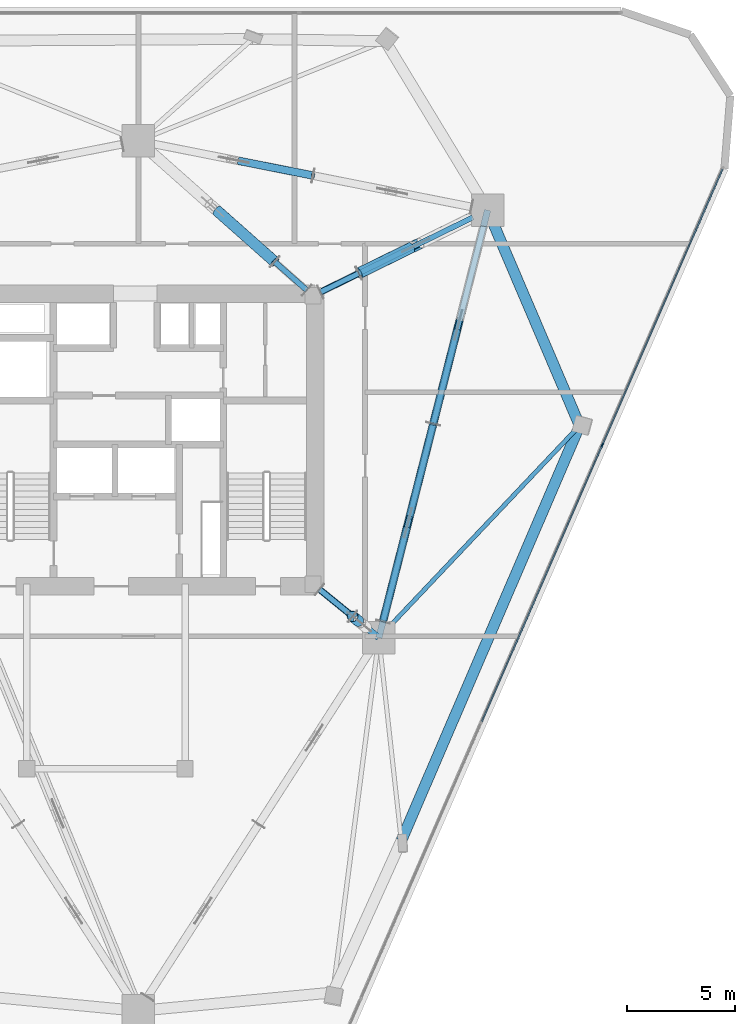
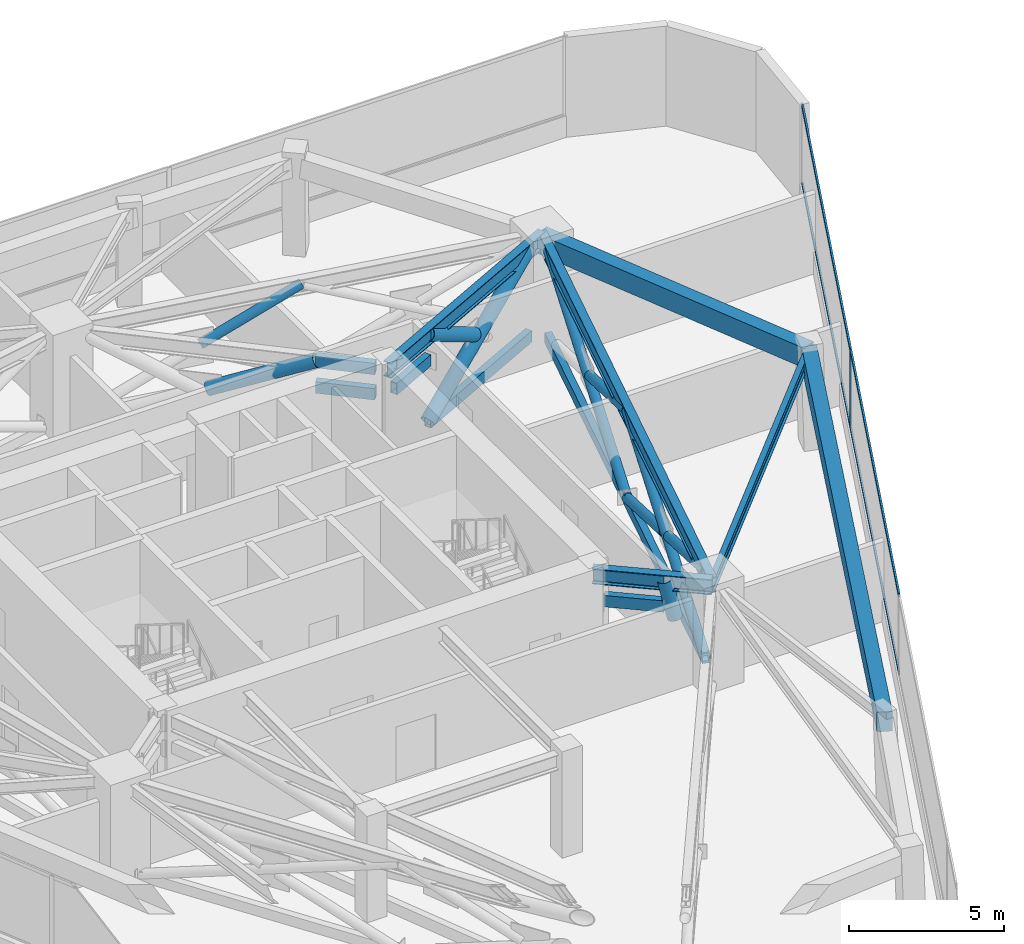
# One storey, part 7 of 13: 27 members, 6 beams, 1 element without a shape of its own.
"""IFC4 building model written with IfcOpenShell, lengths in metres."""

from ifc_helpers import new_model, si_unit, direction, frame, origin, origin_2d, place, context, subcontext, project, spatial, rectangle, hollow_rectangle, hollow_circle, i_section, extrude, material, layer, layer_set, material_profile, profile_set, type_object, element, aggregate, save


model = new_model("IFC4")

# Units and contexts
model_context = context("Model", 3, precision=1e-05, world=origin(), true_north=direction((0.0, 1.0)))
body_context = subcontext(model_context, "Body", "Model", "MODEL_VIEW")
ifc_project = project(units=[si_unit("LENGTHUNIT", "METRE"), si_unit("AREAUNIT", "SQUARE_METRE"), si_unit("VOLUMEUNIT", "CUBIC_METRE"), si_unit("PLANEANGLEUNIT", "RADIAN"), si_unit("MASSUNIT", "GRAM", prefix="KILO")], contexts=[model_context])

# Site, building, storey
site_placement = place(None, origin())
site = spatial("IfcSite", under=ifc_project, at=site_placement, CompositionType="ELEMENT")
building_placement = place(site_placement, origin())
building = spatial("IfcBuilding", under=site, at=building_placement, Name="Talyreon Biosciences Tower", CompositionType="ELEMENT")
storey_placement = place(building_placement, frame((0.0, 0.0, 175.199951171875)))
storey = spatial("IfcBuildingStorey", under=building, at=storey_placement, Name="L46", CompositionType="ELEMENT", Elevation=175.199951171875)

# Members
ifc_material_1 = material(Name="Steel SM355", Category="steel")
ifc_material_profile_1 = material_profile(ifc_material_1, hollow_circle(Radius=0.177734375, WallThickness=0.01416015625, at=origin_2d()), Name="CHS 355.6x14.2")
ifc_profile_set_1 = profile_set([ifc_material_profile_1], Name="Steel SM355")
member_type_1 = type_object("IfcMemberType", Name="BeltBrace_CHS355", PredefinedType="BRACE", material=ifc_profile_set_1)
member_1_placement = place(storey_placement, frame((77.273681640625, 59.616943359375, 0.239990234375), z_axis=(0.231388620346, 0.909633581047, 0.345001528411), x_axis=(-0.969136504924, 0.246524714428, 0.0)))
element("IfcMember", 1, at=member_1_placement, inside=storey, type_object=member_type_1, Name="L46 Continuous Diagonal BELT-L46-B2S1A", PredefinedType="BRACE", context=body_context, shape_type="SweptSolid", body=[
    extrude(hollow_circle(Radius=0.177734375, WallThickness=0.01416015625, at=origin_2d()), origin(), (0.0, 0.0, 1.0), 10.02880859375),
])
member_2_placement = place(storey_placement, frame((79.59423828125, 68.739501953125, 0.239990234375), z_axis=(-0.231377127616, -0.90962614913, 0.345028830149), x_axis=(0.969138949099, -0.246515105703, 0.0)))
element("IfcMember", 2, at=member_2_placement, inside=storey, type_object=member_type_1, Name="L46 Split Diagonal BELT-L46-B2S1B-Lower", PredefinedType="BRACE", context=body_context, shape_type="SweptSolid", body=[
    extrude(hollow_circle(Radius=0.177734375, WallThickness=0.01416015625, at=origin_2d()), origin(), (0.0, 0.0, 1.0), 4.734619140625),
])
member_3_placement = place(storey_placement, frame((78.369140625, 63.923583984375, 2.066650390625), z_axis=(-0.231381244033, -0.909642332234, 0.344983401511), x_axis=(0.969138949099, -0.246515105703, 0.0)))
element("IfcMember", 3, at=member_3_placement, inside=storey, type_object=member_type_1, Name="L46 Split Diagonal BELT-L46-B2S1B-Upper", PredefinedType="BRACE", context=body_context, shape_type="SweptSolid", body=[
    extrude(hollow_circle(Radius=0.177734375, WallThickness=0.01416015625, at=origin_2d()), origin(), (0.0, 0.0, 1.0), 4.734375),
])
member_4_placement = place(storey_placement, frame((79.59423828125, 68.739501953125, 0.239990234375), z_axis=(0.231406536423, 0.909632657957, 0.344991945528), x_axis=(-0.96913188456, 0.246542877262, 0.0)))
element("IfcMember", 4, at=member_4_placement, inside=storey, type_object=member_type_1, Name="L46 Continuous Diagonal BELT-L46-B2S2A", PredefinedType="BRACE", context=body_context, shape_type="SweptSolid", body=[
    extrude(hollow_circle(Radius=0.177734375, WallThickness=0.01416015625, at=origin_2d()), origin(), (0.0, 0.0, 1.0), 10.029052734375),
])
member_5_placement = place(storey_placement, frame((80.689697265625, 73.046142578125, 2.066650390625), z_axis=(-0.231381244033, -0.909642332234, 0.344983401511), x_axis=(0.969138949099, -0.246515105703, 0.0)))
element("IfcMember", 5, at=member_5_placement, inside=storey, type_object=member_type_1, Name="L46 Split Diagonal BELT-L46-B2S2B-Upper", PredefinedType="BRACE", context=body_context, shape_type="SweptSolid", body=[
    extrude(hollow_circle(Radius=0.177734375, WallThickness=0.01416015625, at=origin_2d()), origin(), (0.0, 0.0, 1.0), 4.734375),
])
member_6_placement = place(storey_placement, frame((70.6474609375, 80.8681640625, 2.088134765625), z_axis=(0.889643147326, -0.17624403765, 0.421275574426), x_axis=(0.19432978993, 0.980936253151, 0.0)))
element("IfcMember", 6, at=member_6_placement, inside=storey, type_object=member_type_1, Name="L46 Split Diagonal BELT-L46-B3S2B-Upper", PredefinedType="BRACE", context=body_context, shape_type="SweptSolid", body=[
    extrude(hollow_circle(Radius=0.177734375, WallThickness=0.01416015625, at=origin_2d()), origin(), (0.0, 0.0, 1.0), 3.825927734375),
])
ifc_material_profile_2 = material_profile(ifc_material_1, hollow_rectangle(XDim=0.25, YDim=0.39990234375, WallThickness=0.01611328125, at=origin_2d()), Name="RHS 400x250x16")
ifc_profile_set_2 = profile_set([ifc_material_profile_2], Name="Steel SM355")
member_type_2 = type_object("IfcMemberType", Name="BeltChord_RHS400x250", PredefinedType="CHORD", material=ifc_profile_set_2)
for number, where, z_axis, x_axis, name in (
    (7, (77.273681640625, 59.616943359375, 0.239990234375), (0.246524714428, 0.969136504924, 0.0), (-0.969136504924, 0.246524714428, 0.0), "L46 Truss Bottom Chord BELT-L46-B2S1"),
    (8, (77.273681640625, 59.616943359375, 3.699951171875), (0.246524714428, 0.969136504924, 0.0), (-0.969136504924, 0.246524714428, 0.0), "L46 Truss Top Chord BELT-L46-B2S1"),
):
    element("IfcMember", number, at=place(storey_placement, frame(where, z_axis=z_axis, x_axis=x_axis)), inside=storey, type_object=member_type_2, Name=name, PredefinedType="CHORD", context=body_context, shape_type="SweptSolid", body=[
        extrude(hollow_rectangle(XDim=0.25, YDim=0.39990234375, WallThickness=0.01611328125, at=origin_2d()), origin(), (0.0, 0.0, 1.0), 9.4130859375),
    ])
for number, where, z_axis, x_axis, name in (
    (9, (79.59423828125, 68.739501953125, 0.239990234375), (0.246542877262, 0.96913188456, 0.0), (-0.96913188456, 0.246542877262, 0.0), "L46 Truss Bottom Chord BELT-L46-B2S2"),
    (10, (79.59423828125, 68.739501953125, 3.699951171875), (0.246542877262, 0.96913188456, 0.0), (-0.96913188456, 0.246542877262, 0.0), "L46 Truss Top Chord BELT-L46-B2S2"),
):
    element("IfcMember", number, at=place(storey_placement, frame(where, z_axis=z_axis, x_axis=x_axis)), inside=storey, type_object=member_type_2, Name=name, PredefinedType="CHORD", context=body_context, shape_type="SweptSolid", body=[
        extrude(hollow_rectangle(XDim=0.25, YDim=0.39990234375, WallThickness=0.01611328125, at=origin_2d()), origin(), (0.0, 0.0, 1.0), 9.413330078125),
    ])

# Curtain wall, members
ifc_material_2 = material(Name="Thermally broken aluminium and low-E glazing", Category="aluminium")
ifc_layer = layer(ifc_material_2, 0.18505859375)
ifc_layer_set = layer_set([ifc_layer], Name="Thermally broken aluminium and low-E glazing")
curtain_wall_type = type_object("IfcCurtainWallType", Name="CurtainWall_Zone3Bioprocess", PredefinedType="NOTDEFINED", material=ifc_layer_set)
curtain_wall_placement = place(storey_placement, origin())
curtain_wall = element("IfcCurtainWall", 11, at=curtain_wall_placement, inside=storey, type_object=curtain_wall_type, Name="L46 Unitised Curtain Wall FCW-L46-08", PredefinedType="NOTDEFINED")
ifc_material_3 = material(Name="Anodised thermally broken aluminium", Category="aluminium")
ifc_material_profile_3 = material_profile(ifc_material_3, rectangle(XDim=0.06494140625, YDim=0.179931640625, at=origin_2d()), Name="ALUM MULLION 65x180")
ifc_profile_set_3 = profile_set([ifc_material_profile_3], Name="Anodised thermally broken aluminium")
member_type_3 = type_object("IfcMemberType", Name="CWMullion_65x180", PredefinedType="MULLION", material=ifc_profile_set_3)
member_7_placement = place(storey_placement, frame((87.390380859375, 67.762939453125, 0.81005859375), z_axis=(0.0, 0.0, 1.0), x_axis=(0.916820215501, -0.399300253505, 0.0)))
member_7 = element("IfcMember", 12, at=member_7_placement, type_object=member_type_3, Name="CW4 mullion 2", PredefinedType="MULLION", context=body_context, shape_type="SweptSolid", body=[
    extrude(rectangle(XDim=0.06494140625, YDim=0.179931640625, at=origin_2d()), origin(), (0.0, 0.0, 1.0), 3.139892578125),
])
ifc_material_profile_4 = material_profile(ifc_material_3, rectangle(XDim=0.06494140625, YDim=0.139892578125, at=origin_2d()), Name="ALUM TRANSOM 65x140")
ifc_profile_set_4 = profile_set([ifc_material_profile_4], Name="Anodised thermally broken aluminium")
member_type_4 = type_object("IfcMemberType", Name="CWTransom_65x140", PredefinedType="USERDEFINED", material=ifc_profile_set_4)
member_8_placement = place(storey_placement, frame((92.9296875, 80.481689453125, 0.842529296875), z_axis=(-0.399298814497, -0.916820842227, 0.0), x_axis=(0.916820842227, -0.399298814497, 0.0)))
member_8 = element("IfcMember", 13, at=member_8_placement, type_object=member_type_4, Name="CW4 transom 1.1", ObjectType="TRANSOM", PredefinedType="USERDEFINED", context=body_context, shape_type="SweptSolid", body=[
    extrude(rectangle(XDim=0.06494140625, YDim=0.139892578125, at=origin_2d()), origin(), (0.0, 0.0, 1.0), 13.840087890625),
])
member_9_placement = place(storey_placement, frame((92.9296875, 80.481689453125, 3.91748046875), z_axis=(-0.399298814497, -0.916820842227, 0.0), x_axis=(0.916820842227, -0.399298814497, 0.0)))
member_9 = element("IfcMember", 14, at=member_9_placement, type_object=member_type_4, Name="CW4 transom 1.2", ObjectType="TRANSOM", PredefinedType="USERDEFINED", context=body_context, shape_type="SweptSolid", body=[
    extrude(rectangle(XDim=0.06494140625, YDim=0.139892578125, at=origin_2d()), origin(), (0.0, 0.0, 1.0), 13.840087890625),
])
member_10_placement = place(storey_placement, frame((87.37744140625, 67.73291015625, 0.842529296875), z_axis=(-0.399311623344, -0.916815263541, 0.0), x_axis=(0.916815263541, -0.399311623344, 0.0)))
member_10 = element("IfcMember", 15, at=member_10_placement, type_object=member_type_4, Name="CW4 transom 2.1", ObjectType="TRANSOM", PredefinedType="USERDEFINED", context=body_context, shape_type="SweptSolid", body=[
    extrude(rectangle(XDim=0.06494140625, YDim=0.139892578125, at=origin_2d()), origin(), (0.0, 0.0, 1.0), 13.872802734375),
])
member_11_placement = place(storey_placement, frame((87.37744140625, 67.73291015625, 3.91748046875), z_axis=(-0.399311623344, -0.916815263541, 0.0), x_axis=(0.916815263541, -0.399311623344, 0.0)))
member_11 = element("IfcMember", 16, at=member_11_placement, type_object=member_type_4, Name="CW4 transom 2.2", ObjectType="TRANSOM", PredefinedType="USERDEFINED", context=body_context, shape_type="SweptSolid", body=[
    extrude(rectangle(XDim=0.06494140625, YDim=0.139892578125, at=origin_2d()), origin(), (0.0, 0.0, 1.0), 13.872802734375),
])
aggregate(curtain_wall, [member_7, member_8, member_9, member_10, member_11])

# Beams
ifc_material_4 = material(Name="Precast concrete C45/55", Category="concrete")
ifc_material_profile_5 = material_profile(ifc_material_4, rectangle(XDim=0.5, YDim=0.780029296875, at=origin_2d()), Name="RCB 500x780")
ifc_profile_set_5 = profile_set([ifc_material_profile_5], Name="Precast concrete C45/55")
beam_type_1 = type_object("IfcBeamType", Name="ExpressedSpandrel_500x780", PredefinedType="SPANDREL", material=ifc_profile_set_5)
beam_1_placement = place(storey_placement, frame((78.12109375, 49.517578125, 3.56005859375), z_axis=(0.394760616993, 0.918784009042, 0.0), x_axis=(-0.918784009042, 0.394760616993, 0.0)))
element("IfcBeam", 17, at=beam_1_placement, inside=storey, type_object=beam_type_1, Name="L46 Expressed Horizontal Concrete Spandrel 03", PredefinedType="SPANDREL", context=body_context, shape_type="SweptSolid", body=[
    extrude(rectangle(XDim=0.5, YDim=0.780029296875, at=origin_2d()), origin(), (0.0, 0.0, 1.0), 20.83447265625),
])
beam_2_placement = place(storey_placement, frame((86.345703125, 68.659912109375, 3.56005859375), z_axis=(-0.392664708181, 0.919681698714, 0.0), x_axis=(-0.919681698714, -0.392664708181, 0.0)))
element("IfcBeam", 18, at=beam_2_placement, inside=storey, type_object=beam_type_1, Name="L46 Expressed Horizontal Concrete Spandrel 04", PredefinedType="SPANDREL", context=body_context, shape_type="SweptSolid", body=[
    extrude(rectangle(XDim=0.5, YDim=0.780029296875, at=origin_2d()), origin(), (0.0, 0.0, 1.0), 10.806640625),
])

# Members
ifc_material_profile_6 = material_profile(ifc_material_1, hollow_circle(Radius=0.25390625, WallThickness=0.02001953125, at=origin_2d()), Name="CHS 508x20")
ifc_profile_set_6 = profile_set([ifc_material_profile_6], Name="Steel SM355")
member_type_5 = type_object("IfcMemberType", Name="OutriggerBrace_CHS508", PredefinedType="BRACE", material=ifc_profile_set_6)
member_12_placement = place(storey_placement, frame((76.1357421875, 59.653564453125, 2.24267578125), z_axis=(-0.175587518797, 0.142787248092, 0.974053810128), x_axis=(-0.630918314269, -0.775849264175, 0.0)))
element("IfcMember", 19, at=member_12_placement, inside=storey, type_object=member_type_5, Name="L46 Split Diagonal OUT-L46-R2B-Upper", PredefinedType="BRACE", context=body_context, shape_type="SweptSolid", body=[
    extrude(hollow_circle(Radius=0.25390625, WallThickness=0.02001953125, at=origin_2d()), origin(), (0.0, 0.0, 1.0), 1.49609375),
])
member_13_placement = place(storey_placement, frame((76.159912109375, 75.684814453125, 0.239990234375), z_axis=(0.773095797282, 0.37910220925, 0.508531614717), x_axis=(-0.440282388791, 0.897859353195, 0.0)))
element("IfcMember", 20, at=member_13_placement, inside=storey, type_object=member_type_5, Name="L46 Continuous Diagonal OUT-L46-R3A", PredefinedType="BRACE", context=body_context, shape_type="SweptSolid", body=[
    extrude(hollow_circle(Radius=0.25390625, WallThickness=0.02001953125, at=origin_2d()), origin(), (0.0, 0.0, 1.0), 6.8037109375),
])
member_14_placement = place(storey_placement, frame((78.573486328125, 76.8681640625, 2.112548828125), z_axis=(-0.773140685809, -0.379062604098, 0.508492892892), x_axis=(0.440224700439, -0.897887639476, 0.0)))
element("IfcMember", 21, at=member_14_placement, inside=storey, type_object=member_type_5, Name="L46 Split Diagonal OUT-L46-R3B-Upper", PredefinedType="BRACE", context=body_context, shape_type="SweptSolid", body=[
    extrude(hollow_circle(Radius=0.25390625, WallThickness=0.02001953125, at=origin_2d()), origin(), (0.0, 0.0, 1.0), 3.121826171875),
])
member_15_placement = place(storey_placement, frame((69.62109375, 78.57763671875, 2.08544921875), z_axis=(0.681689442007, -0.604540568325, 0.412104605539), x_axis=(0.66350161797, 0.748174847848, 0.0)))
element("IfcMember", 22, at=member_15_placement, inside=storey, type_object=member_type_5, Name="L46 Split Diagonal OUT-L46-R4B-Upper", PredefinedType="BRACE", context=body_context, shape_type="SweptSolid", body=[
    extrude(hollow_circle(Radius=0.25390625, WallThickness=0.02001953125, at=origin_2d()), origin(), (0.0, 0.0, 1.0), 3.917724609375),
])
ifc_material_profile_7 = material_profile(ifc_material_1, hollow_rectangle(XDim=0.25, YDim=0.449951171875, WallThickness=0.01611328125, at=origin_2d()), Name="RHS 450x250x16")
ifc_profile_set_7 = profile_set([ifc_material_profile_7], Name="Steel SM355")
member_type_6 = type_object("IfcMemberType", Name="OutriggerChord_RHS450x250", PredefinedType="CHORD", material=ifc_profile_set_7)
for number, where, z_axis, x_axis, name in (
    (23, (74.3486328125, 61.107177734375, 3.699951171875), (0.775764250479, -0.631022842438, 0.0), (0.631022842438, 0.775764250479, 0.0), "L46 Outrigger Core Top Tie 2"),
    (24, (74.3486328125, 61.107177734375, 2.699951171875), (0.775764250479, -0.631022842438, 0.0), (0.631022842438, 0.775764250479, 0.0), "L46 Outrigger Core Plenum Tie 2"),
):
    element("IfcMember", number, at=place(storey_placement, frame(where, z_axis=z_axis, x_axis=x_axis)), inside=storey, type_object=member_type_6, Name=name, PredefinedType="CHORD", context=body_context, shape_type="SweptSolid", body=[
        extrude(hollow_rectangle(XDim=0.25, YDim=0.449951171875, WallThickness=0.01611328125, at=origin_2d()), origin(), (0.0, 0.0, 1.0), 1.965087890625),
    ])
for number, where, z_axis, x_axis, name in (
    (25, (74.395751953125, 74.819580078125, 3.699951171875), (0.897830193079, 0.44034184947, 0.0), (-0.44034184947, 0.897830193079, 0.0), "L46 Outrigger Core Top Tie 3"),
    (26, (74.395751953125, 74.819580078125, 2.699951171875), (0.897830193079, 0.44034184947, 0.0), (-0.44034184947, 0.897830193079, 0.0), "L46 Outrigger Core Plenum Tie 3"),
):
    element("IfcMember", number, at=place(storey_placement, frame(where, z_axis=z_axis, x_axis=x_axis)), inside=storey, type_object=member_type_6, Name=name, PredefinedType="CHORD", context=body_context, shape_type="SweptSolid", body=[
        extrude(hollow_rectangle(XDim=0.25, YDim=0.449951171875, WallThickness=0.01611328125, at=origin_2d()), origin(), (0.0, 0.0, 1.0), 1.96484375),
    ])
for number, where, z_axis, x_axis, name in (
    (27, (76.159912109375, 75.684814453125, 0.239990234375), (0.897859353195, 0.440282388791, 0.0), (-0.440282388791, 0.897859353195, 0.0), "L46 Truss Bottom Chord OUT-L46-R3"),
    (28, (76.159912109375, 75.684814453125, 3.699951171875), (0.897859353195, 0.440282388791, 0.0), (-0.440282388791, 0.897859353195, 0.0), "L46 Truss Top Chord OUT-L46-R3"),
):
    element("IfcMember", number, at=place(storey_placement, frame(where, z_axis=z_axis, x_axis=x_axis)), inside=storey, type_object=member_type_6, Name=name, PredefinedType="CHORD", context=body_context, shape_type="SweptSolid", body=[
        extrude(hollow_rectangle(XDim=0.25, YDim=0.449951171875, WallThickness=0.01611328125, at=origin_2d()), origin(), (0.0, 0.0, 1.0), 5.8583984375),
    ])
for number, where, z_axis, x_axis, name in (
    (29, (73.761962890625, 74.905517578125, 3.699951171875), (-0.748203951934, 0.663468798294, 0.0), (-0.663468798294, -0.748203951934, 0.0), "L46 Outrigger Core Top Tie 4"),
    (30, (73.761962890625, 74.905517578125, 2.699951171875), (-0.748203951934, 0.663468798294, 0.0), (-0.663468798294, -0.748203951934, 0.0), "L46 Outrigger Core Plenum Tie 4"),
):
    element("IfcMember", number, at=place(storey_placement, frame(where, z_axis=z_axis, x_axis=x_axis)), inside=storey, type_object=member_type_6, Name=name, PredefinedType="CHORD", context=body_context, shape_type="SweptSolid", body=[
        extrude(hollow_rectangle(XDim=0.25, YDim=0.449951171875, WallThickness=0.01611328125, at=origin_2d()), origin(), (0.0, 0.0, 1.0), 1.965087890625),
    ])

# Beams
ifc_material_profile_8 = material_profile(ifc_material_1, i_section(OverallWidth=0.300048828125, OverallDepth=0.60009765625, WebThickness=0.015380859375, FlangeThickness=0.030029296875, FilletRadius=0.027099609375, at=origin_2d()), Name="HE600B")
ifc_profile_set_8 = profile_set([ifc_material_profile_8], Name="Steel SM355")
beam_type_2 = type_object("IfcBeamType", Name="SteelBeam_HE600B", PredefinedType="BEAM", material=ifc_profile_set_8)
beam_3_placement = place(storey_placement, frame((77.086181640625, 58.88037109375, 3.650146484375), z_axis=(0.246537082299, 0.969133358755, 0.0), x_axis=(-0.969133358755, 0.246537082299, 0.0)))
element("IfcBeam", 31, at=beam_3_placement, inside=storey, type_object=beam_type_2, Name="L46 Mega-Ring Girder 2", PredefinedType="BEAM", context=body_context, shape_type="SweptSolid", body=[
    extrude(i_section(OverallWidth=0.300048828125, OverallDepth=0.60009765625, WebThickness=0.015380859375, FlangeThickness=0.030029296875, FilletRadius=0.027099609375, at=origin_2d()), origin(), (0.0, 0.0, 1.0), 20.34619140625),
])
beam_4_placement = place(storey_placement, frame((74.050048828125, 61.35009765625, 3.650146484375), z_axis=(0.775755154013, -0.631034025249, 0.0), x_axis=(0.631034025249, 0.775755154013, 0.0)))
element("IfcBeam", 32, at=beam_4_placement, inside=storey, type_object=beam_type_2, Name="L46 Radial Primary Girder 2", PredefinedType="BEAM", context=body_context, shape_type="SweptSolid", body=[
    extrude(i_section(OverallWidth=0.300048828125, OverallDepth=0.60009765625, WebThickness=0.015380859375, FlangeThickness=0.030029296875, FilletRadius=0.027099609375, at=origin_2d()), origin(), (0.0, 0.0, 1.0), 3.913818359375),
])
beam_5_placement = place(storey_placement, frame((74.050048828125, 74.64990234375, 3.650146484375), z_axis=(0.897852360314, 0.440296648952, 0.0), x_axis=(-0.440296648952, 0.897852360314, 0.0)))
element("IfcBeam", 33, at=beam_5_placement, inside=storey, type_object=beam_type_2, Name="L46 Radial Primary Girder 3", PredefinedType="BEAM", context=body_context, shape_type="SweptSolid", body=[
    extrude(i_section(OverallWidth=0.300048828125, OverallDepth=0.60009765625, WebThickness=0.015380859375, FlangeThickness=0.030029296875, FilletRadius=0.027099609375, at=origin_2d()), origin(), (0.0, 0.0, 1.0), 8.96826171875),
])
ifc_material_profile_9 = material_profile(ifc_material_1, i_section(OverallWidth=0.199951171875, OverallDepth=0.5, WebThickness=0.01025390625, FlangeThickness=0.01611328125, FilletRadius=0.02099609375, at=origin_2d()), Name="IPE500")
ifc_profile_set_9 = profile_set([ifc_material_profile_9], Name="Steel SM355")
beam_type_3 = type_object("IfcBeamType", Name="SteelJoist_IPE500", PredefinedType="JOIST", material=ifc_profile_set_9)
beam_6_placement = place(storey_placement, frame((77.086181640625, 58.88037109375, 3.699951171875), z_axis=(0.687536956049, 0.726149388258, 0.0), x_axis=(-0.726149388258, 0.687536956049, 0.0)))
element("IfcBeam", 34, at=beam_6_placement, inside=storey, type_object=beam_type_3, Name="L46 Radial Composite Floor Joist PC-SE2", PredefinedType="JOIST", context=body_context, shape_type="SweptSolid", body=[
    extrude(i_section(OverallWidth=0.199951171875, OverallDepth=0.5, WebThickness=0.01025390625, FlangeThickness=0.01611328125, FilletRadius=0.02099609375, at=origin_2d()), origin(), (0.0, 0.0, 1.0), 13.4677734375),
])

save(model, "model.ifc")
